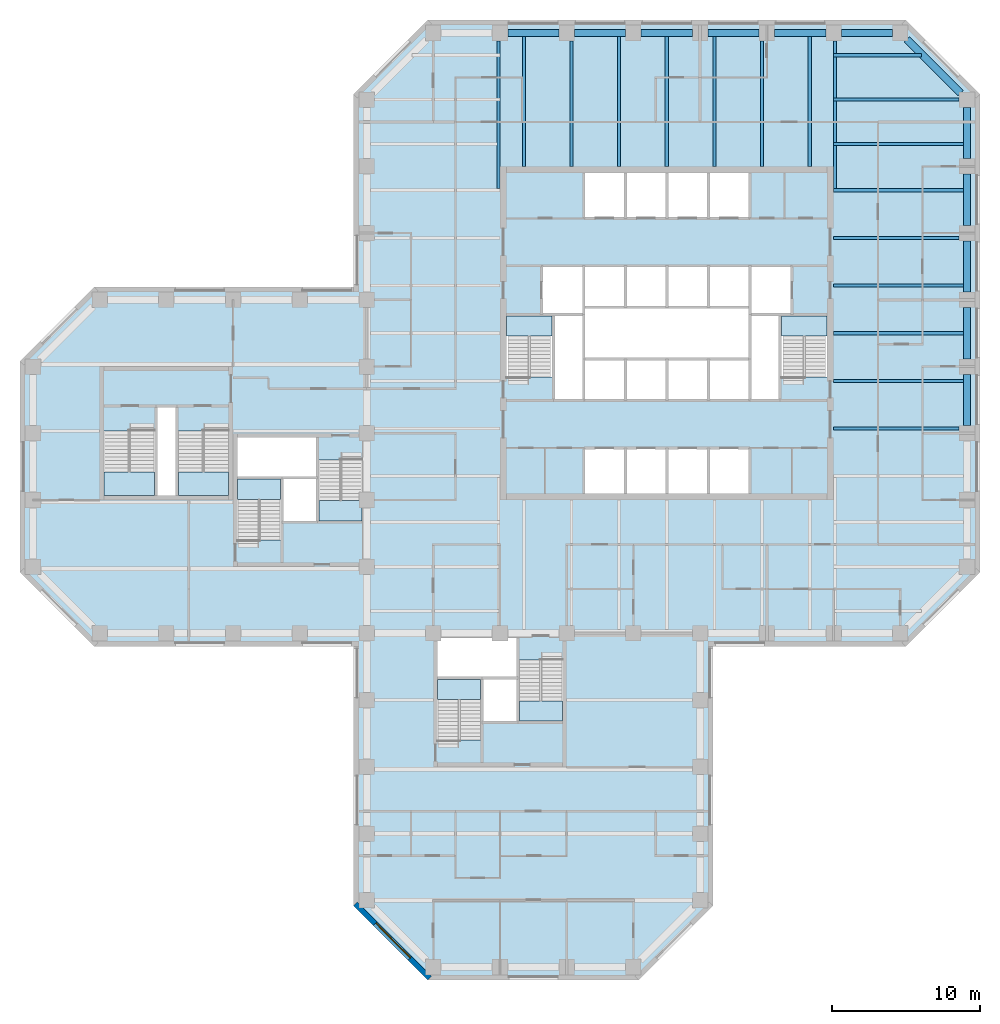
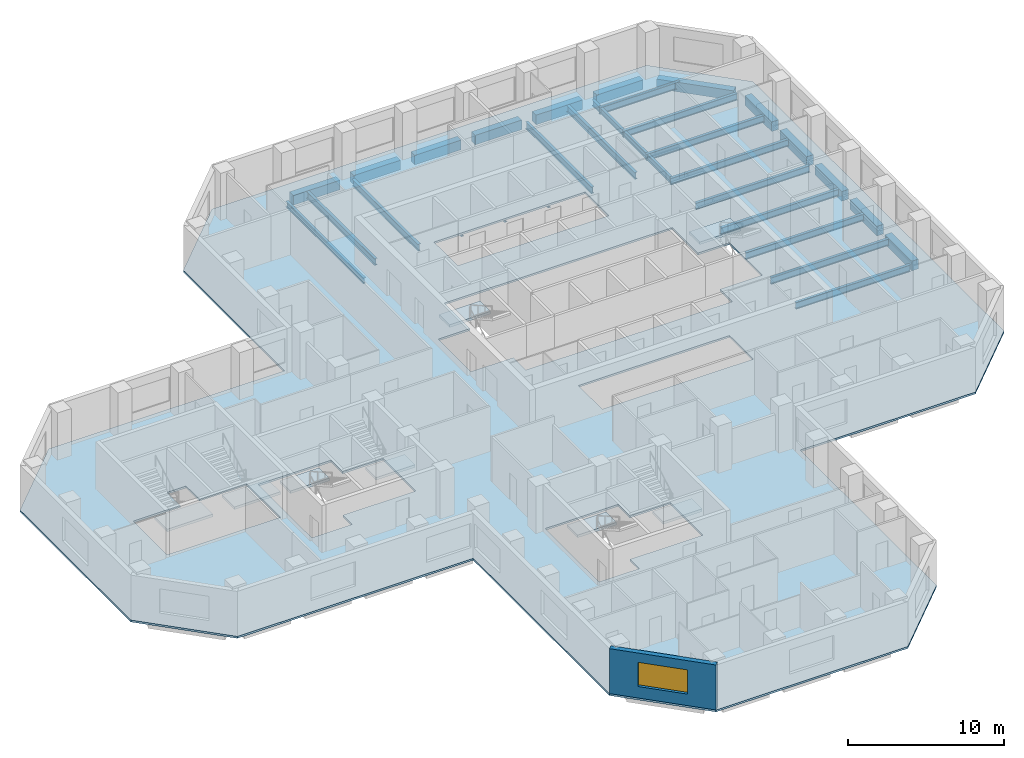
# One storey, part 2 of 11: 30 beams, 9 slabs, 1 wall, 1 window, 1 opening, 8 elements without a shape of their own.
"""IFC4 building model written with IfcOpenShell, lengths in metres."""

from ifc_helpers import new_model, si_unit, direction, frame, frame_2d, origin, origin_2d, place, context, subcontext, project, spatial, polyline, rectangle, i_section, outline, extrude, material, layer, layer_set, constituent, constituent_set, material_profile, profile_set, type_object, element, fill, aggregate, save


model = new_model("IFC4")

# Units and contexts
model_context = context("Model", 3, precision=1e-05, world=origin(), true_north=direction((0.0, 1.0)))
body_context = subcontext(model_context, "Body", "Model", "MODEL_VIEW")
ifc_project = project(units=[si_unit("LENGTHUNIT", "METRE"), si_unit("AREAUNIT", "SQUARE_METRE"), si_unit("VOLUMEUNIT", "CUBIC_METRE"), si_unit("PLANEANGLEUNIT", "RADIAN"), si_unit("MASSUNIT", "GRAM", prefix="KILO")], contexts=[model_context])

# Site, building, storey
site_placement = place(None, origin())
site = spatial("IfcSite", under=ifc_project, at=site_placement, CompositionType="ELEMENT")
building_placement = place(site_placement, origin())
building = spatial("IfcBuilding", under=site, at=building_placement, Name="Quoin Convention Tower", CompositionType="ELEMENT")
storey_placement = place(building_placement, frame((0.0, 0.0, 134.39990234375)))
storey = spatial("IfcBuildingStorey", under=building, at=storey_placement, Name="L35", CompositionType="ELEMENT", Elevation=134.39990234375)

# Beams
ifc_material_1 = material(Name="Steel Grade 300", Category="steel")
ifc_material_profile_1 = material_profile(ifc_material_1, i_section(OverallWidth=0.18994140625, OverallDepth=0.4541015625, WebThickness=0.008544921875, FlangeThickness=0.0126953125, FilletRadius=0.011474609375, at=origin_2d()), Name="460UB67.1")
ifc_profile_set_1 = profile_set([ifc_material_profile_1], Name="Steel Grade 300")
beam_type_1 = type_object("IfcBeamType", Name="460UB67.1", PredefinedType="BEAM", material=ifc_profile_set_1)
for number, where, z_axis, x_axis, name in (
    (1, (44.8955078125, 80.47509765625, -0.376953125), (0.0, -1.0, 0.0), (1.0, 0.0, 0.0), "gir-L35-T1NW"),
    (2, (67.6044921875, 80.47509765625, -0.376953125), (0.0, -1.0, 0.0), (1.0, 0.0, 0.0), "gir-L35-T1NE"),
):
    element("IfcBeam", number, at=place(storey_placement, frame(where, z_axis=z_axis, x_axis=x_axis)), inside=storey, type_object=beam_type_1, Name=name, PredefinedType="BEAM", context=body_context, shape_type="SweptSolid", body=[
        extrude(i_section(OverallWidth=0.18994140625, OverallDepth=0.4541015625, WebThickness=0.008544921875, FlangeThickness=0.0126953125, FilletRadius=0.011474609375, at=origin_2d()), origin(), (0.0, 0.0, 1.0), 9.977783203125),
    ])
ifc_material_profile_2 = material_profile(ifc_material_1, i_section(OverallWidth=0.208984375, OverallDepth=0.528076171875, WebThickness=0.009521484375, FlangeThickness=0.01318359375, FilletRadius=0.013916015625, at=origin_2d()), Name="530UB82.0")
ifc_profile_set_2 = profile_set([ifc_material_profile_2], Name="Steel Grade 300")
beam_type_2 = type_object("IfcBeamType", Name="530UB82.0", PredefinedType="BEAM", material=ifc_profile_set_2)
beam_1_placement = place(storey_placement, frame((67.5, 54.3212890625, -0.413818359375), z_axis=(1.0, 0.0, 0.0), x_axis=(0.0, 1.0, 0.0)))
element("IfcBeam", 3, at=beam_1_placement, inside=storey, type_object=beam_type_2, Name="bm-L35-T1E1", PredefinedType="BEAM", context=body_context, shape_type="SweptSolid", body=[
    extrude(i_section(OverallWidth=0.208984375, OverallDepth=0.528076171875, WebThickness=0.009521484375, FlangeThickness=0.01318359375, FilletRadius=0.013916015625, at=origin_2d()), origin(), (0.0, 0.0, 1.0), 8.47509765625),
])
for number, where, z_axis, x_axis, name in (
    (4, (67.5, 57.53564453125, -0.413818359375), (1.0, 0.0, 0.0), (0.0, 1.0, 0.0), "bm-L35-T1E2"),
    (5, (67.5, 60.75, -0.413818359375), (1.0, 0.0, 0.0), (0.0, 1.0, 0.0), "bm-L35-T1E3"),
    (6, (67.5, 63.96435546875, -0.413818359375), (1.0, 0.0, 0.0), (0.0, 1.0, 0.0), "bm-L35-T1E4"),
):
    element("IfcBeam", number, at=place(storey_placement, frame(where, z_axis=z_axis, x_axis=x_axis)), inside=storey, type_object=beam_type_2, Name=name, PredefinedType="BEAM", context=body_context, shape_type="SweptSolid", body=[
        extrude(i_section(OverallWidth=0.208984375, OverallDepth=0.528076171875, WebThickness=0.009521484375, FlangeThickness=0.01318359375, FilletRadius=0.013916015625, at=origin_2d()), origin(), (0.0, 0.0, 1.0), 8.75),
    ])
beam_2_placement = place(storey_placement, frame((67.5, 67.1787109375, -0.413818359375), z_axis=(1.0, 0.0, 0.0), x_axis=(0.0, 1.0, 0.0)))
element("IfcBeam", 7, at=beam_2_placement, inside=storey, type_object=beam_type_2, Name="bm-L35-T1E5", PredefinedType="BEAM", context=body_context, shape_type="SweptSolid", body=[
    extrude(i_section(OverallWidth=0.208984375, OverallDepth=0.528076171875, WebThickness=0.009521484375, FlangeThickness=0.01318359375, FilletRadius=0.013916015625, at=origin_2d()), origin(), (0.0, 0.0, 1.0), 8.47509765625),
])
for number, where, z_axis, x_axis, name in (
    (8, (67.5, 70.392822265625, -0.413818359375), (1.0, 0.0, 0.0), (0.0, 1.0, 0.0), "bm-L35-T1E6"),
    (9, (46.607177734375, 72.0, -0.413818359375), (0.0, 1.0, 0.0), (-1.0, 0.0, 0.0), "bm-L35-T1N0"),
):
    element("IfcBeam", number, at=place(storey_placement, frame(where, z_axis=z_axis, x_axis=x_axis)), inside=storey, type_object=beam_type_2, Name=name, PredefinedType="BEAM", context=body_context, shape_type="SweptSolid", body=[
        extrude(i_section(OverallWidth=0.208984375, OverallDepth=0.528076171875, WebThickness=0.009521484375, FlangeThickness=0.01318359375, FilletRadius=0.013916015625, at=origin_2d()), origin(), (0.0, 0.0, 1.0), 8.75),
    ])
beam_3_placement = place(storey_placement, frame((49.8212890625, 72.0, -0.413818359375), z_axis=(0.0, 1.0, 0.0), x_axis=(-1.0, 0.0, 0.0)))
element("IfcBeam", 10, at=beam_3_placement, inside=storey, type_object=beam_type_2, Name="bm-L35-T1N1", PredefinedType="BEAM", context=body_context, shape_type="SweptSolid", body=[
    extrude(i_section(OverallWidth=0.208984375, OverallDepth=0.528076171875, WebThickness=0.009521484375, FlangeThickness=0.01318359375, FilletRadius=0.013916015625, at=origin_2d()), origin(), (0.0, 0.0, 1.0), 8.47509765625),
])
for number, where, z_axis, x_axis, name in (
    (11, (53.03564453125, 72.0, -0.413818359375), (0.0, 1.0, 0.0), (-1.0, 0.0, 0.0), "bm-L35-T1N2"),
    (12, (56.25, 72.0, -0.413818359375), (0.0, 1.0, 0.0), (-1.0, 0.0, 0.0), "bm-L35-T1N3"),
    (13, (59.46435546875, 72.0, -0.413818359375), (0.0, 1.0, 0.0), (-1.0, 0.0, 0.0), "bm-L35-T1N4"),
):
    element("IfcBeam", number, at=place(storey_placement, frame(where, z_axis=z_axis, x_axis=x_axis)), inside=storey, type_object=beam_type_2, Name=name, PredefinedType="BEAM", context=body_context, shape_type="SweptSolid", body=[
        extrude(i_section(OverallWidth=0.208984375, OverallDepth=0.528076171875, WebThickness=0.009521484375, FlangeThickness=0.01318359375, FilletRadius=0.013916015625, at=origin_2d()), origin(), (0.0, 0.0, 1.0), 8.75),
    ])
beam_4_placement = place(storey_placement, frame((62.6787109375, 72.0, -0.413818359375), z_axis=(0.0, 1.0, 0.0), x_axis=(-1.0, 0.0, 0.0)))
element("IfcBeam", 14, at=beam_4_placement, inside=storey, type_object=beam_type_2, Name="bm-L35-T1N5", PredefinedType="BEAM", context=body_context, shape_type="SweptSolid", body=[
    extrude(i_section(OverallWidth=0.208984375, OverallDepth=0.528076171875, WebThickness=0.009521484375, FlangeThickness=0.01318359375, FilletRadius=0.013916015625, at=origin_2d()), origin(), (0.0, 0.0, 1.0), 8.47509765625),
])
beam_5_placement = place(storey_placement, frame((65.892822265625, 72.0, -0.413818359375), z_axis=(0.0, 1.0, 0.0), x_axis=(-1.0, 0.0, 0.0)))
element("IfcBeam", 15, at=beam_5_placement, inside=storey, type_object=beam_type_2, Name="bm-L35-T1N6", PredefinedType="BEAM", context=body_context, shape_type="SweptSolid", body=[
    extrude(i_section(OverallWidth=0.208984375, OverallDepth=0.528076171875, WebThickness=0.009521484375, FlangeThickness=0.01318359375, FilletRadius=0.013916015625, at=origin_2d()), origin(), (0.0, 0.0, 1.0), 8.75),
])
beam_6_placement = place(storey_placement, frame((67.5, 79.5, -0.413818359375), z_axis=(1.0, 0.0, 0.0), x_axis=(0.0, 1.0, 0.0)))
element("IfcBeam", 16, at=beam_6_placement, inside=storey, type_object=beam_type_2, Name="bm-L35-T1NE0", PredefinedType="BEAM", context=body_context, shape_type="SweptSolid", body=[
    extrude(i_section(OverallWidth=0.208984375, OverallDepth=0.528076171875, WebThickness=0.009521484375, FlangeThickness=0.01318359375, FilletRadius=0.013916015625, at=origin_2d()), origin(), (0.0, 0.0, 1.0), 5.927734375),
])
beam_7_placement = place(storey_placement, frame((67.5, 76.5, -0.413818359375), z_axis=(1.0, 0.0, 0.0), x_axis=(0.0, 1.0, 0.0)))
element("IfcBeam", 17, at=beam_7_placement, inside=storey, type_object=beam_type_2, Name="bm-L35-T1NE1", PredefinedType="BEAM", context=body_context, shape_type="SweptSolid", body=[
    extrude(i_section(OverallWidth=0.208984375, OverallDepth=0.528076171875, WebThickness=0.009521484375, FlangeThickness=0.01318359375, FilletRadius=0.013916015625, at=origin_2d()), origin(), (0.0, 0.0, 1.0), 8.47509765625),
])
beam_8_placement = place(storey_placement, frame((67.5, 73.5, -0.413818359375), z_axis=(1.0, 0.0, 0.0), x_axis=(0.0, 1.0, 0.0)))
element("IfcBeam", 18, at=beam_8_placement, inside=storey, type_object=beam_type_2, Name="bm-L35-T1NE2", PredefinedType="BEAM", context=body_context, shape_type="SweptSolid", body=[
    extrude(i_section(OverallWidth=0.208984375, OverallDepth=0.528076171875, WebThickness=0.009521484375, FlangeThickness=0.01318359375, FilletRadius=0.013916015625, at=origin_2d()), origin(), (0.0, 0.0, 1.0), 8.75),
])
ifc_material_2 = material(Name="Concrete C65", Category="concrete")
ifc_material_profile_3 = material_profile(ifc_material_2, rectangle(XDim=0.5, YDim=0.75, at=origin_2d()), Name="RC 500x750")
ifc_profile_set_3 = profile_set([ifc_material_profile_3], Name="Concrete C65")
beam_type_3 = type_object("IfcBeamType", Name="RC 500x750 C65", PredefinedType="SPANDREL", material=ifc_profile_set_3)
for number, where, z_axis, x_axis, name in (
    (19, (76.5, 54.52490234375, -0.52490234375), (0.0, 1.0, 0.0), (-1.0, 0.0, 0.0), "spd-L35-76500_54000-76500_58500"),
    (20, (76.5, 59.02490234375, -0.52490234375), (0.0, 1.0, 0.0), (-1.0, 0.0, 0.0), "spd-L35-76500_58500-76500_63000"),
    (21, (76.5, 63.52490234375, -0.52490234375), (0.0, 1.0, 0.0), (-1.0, 0.0, 0.0), "spd-L35-76500_63000-76500_67500"),
    (22, (76.5, 68.02490234375, -0.52490234375), (0.0, 1.0, 0.0), (-1.0, 0.0, 0.0), "spd-L35-76500_67500-76500_72000"),
    (23, (76.5, 72.52490234375, -0.52490234375), (0.0, 1.0, 0.0), (-1.0, 0.0, 0.0), "spd-L35-76500_72000-76500_76500"),
):
    element("IfcBeam", number, at=place(storey_placement, frame(where, z_axis=z_axis, x_axis=x_axis)), inside=storey, type_object=beam_type_3, Name=name, PredefinedType="SPANDREL", context=body_context, shape_type="SweptSolid", body=[
        extrude(rectangle(XDim=0.5, YDim=0.75, at=origin_2d()), origin(), (0.0, 0.0, 1.0), 3.4501953125),
    ])
beam_9_placement = place(storey_placement, frame((76.059814453125, 76.940185546875, -0.52490234375), z_axis=(-0.707106781187, 0.707106781187, 0.0), x_axis=(-0.707106781187, -0.707106781187, 0.0)))
element("IfcBeam", 24, at=beam_9_placement, inside=storey, type_object=beam_type_3, Name="spd-L35-76500_76500-72000_81000", PredefinedType="SPANDREL", context=body_context, shape_type="SweptSolid", body=[
    extrude(rectangle(XDim=0.5, YDim=0.75, at=origin_2d()), origin(), (0.0, 0.0, 1.0), 5.118896484375),
])
for number, where, z_axis, x_axis, name in (
    (25, (71.47509765625, 81.0, -0.52490234375), (-1.0, 0.0, 0.0), (0.0, -1.0, 0.0), "spd-L35-72000_81000-67500_81000"),
    (26, (66.97509765625, 81.0, -0.52490234375), (-1.0, 0.0, 0.0), (0.0, -1.0, 0.0), "spd-L35-67500_81000-63000_81000"),
    (27, (62.47509765625, 81.0, -0.52490234375), (-1.0, 0.0, 0.0), (0.0, -1.0, 0.0), "spd-L35-63000_81000-58500_81000"),
    (28, (57.97509765625, 81.0, -0.52490234375), (-1.0, 0.0, 0.0), (0.0, -1.0, 0.0), "spd-L35-58500_81000-54000_81000"),
    (29, (53.47509765625, 81.0, -0.52490234375), (-1.0, 0.0, 0.0), (0.0, -1.0, 0.0), "spd-L35-54000_81000-49500_81000"),
    (30, (48.97509765625, 81.0, -0.52490234375), (-1.0, 0.0, 0.0), (0.0, -1.0, 0.0), "spd-L35-49500_81000-45000_81000"),
):
    element("IfcBeam", number, at=place(storey_placement, frame(where, z_axis=z_axis, x_axis=x_axis)), inside=storey, type_object=beam_type_3, Name=name, PredefinedType="SPANDREL", context=body_context, shape_type="SweptSolid", body=[
        extrude(rectangle(XDim=0.5, YDim=0.75, at=origin_2d()), origin(), (0.0, 0.0, 1.0), 3.4501953125),
    ])

# Slab
ifc_material_3 = material(Name="Concrete C40", Category="concrete")
ifc_layer_1 = layer(ifc_material_3, 0.14990234375)
ifc_layer_set_1 = layer_set([ifc_layer_1], Name="Concrete C40")
slab_type_1 = type_object("IfcSlabType", Name="COMPOSITE SLAB 150 C40", PredefinedType="FLOOR", material=ifc_layer_set_1)
slab_1_placement = place(storey_placement, frame((0.0, 0.0, -0.14990234375)))
element("IfcSlab", 31, at=slab_1_placement, inside=storey, type_object=slab_type_1, Name="slb-L35", PredefinedType="FLOOR", context=body_context, shape_type="SweptSolid", body=[
    extrude(outline(polyline([(59.375, 22.1376953125), (54.3623046875, 17.125), (40.1376953125, 17.125), (35.125, 22.1376953125), (35.125, 39.625), (17.6376953125, 39.625), (12.625, 44.6376953125), (12.625, 58.8623046875), (17.6376953125, 63.875), (35.125, 63.875), (35.125, 76.8623046875), (40.1376953125, 81.875), (72.3623046875, 81.875), (77.375, 76.8623046875), (77.375, 44.6376953125), (72.3623046875, 39.625), (59.375, 39.625), (59.375, 22.1376953125)]), holes=[polyline([(40.800048828125, 40.199951171875), (40.800048828125, 37.5), (40.800048828125, 33.300537109375), (43.800048828125, 33.300537109375), (43.800048828125, 34.5), (46.199951171875, 34.5), (49.199951171875, 34.5), (49.199951171875, 38.699462890625), (46.199951171875, 38.699462890625), (46.199951171875, 40.199951171875), (40.800048828125, 40.199951171875)]), polyline([(35.699951171875, 52.199462890625), (32.699951171875, 52.199462890625), (32.699951171875, 53.699951171875), (27.300048828125, 53.699951171875), (27.300048828125, 51.0), (27.300048828125, 46.800537109375), (30.300048828125, 46.800537109375), (30.300048828125, 48.0), (32.699951171875, 48.0), (35.699951171875, 48.0), (35.699951171875, 52.199462890625)]), polyline([(53.449951171875, 49.949951171875), (56.25, 49.949951171875), (59.050048828125, 49.949951171875), (61.85009765625, 49.949951171875), (61.85009765625, 53.0), (59.050048828125, 53.0), (56.25, 53.0), (53.449951171875, 53.0), (50.64990234375, 53.0), (50.64990234375, 49.949951171875), (53.449951171875, 49.949951171875)]), polyline([(21.800048828125, 55.85009765625), (21.800048828125, 54.1494140625), (18.300048828125, 54.1494140625), (18.300048828125, 49.800048828125), (21.800048828125, 49.800048828125), (23.199951171875, 49.800048828125), (26.699951171875, 49.800048828125), (26.699951171875, 54.1494140625), (23.199951171875, 54.1494140625), (23.199951171875, 55.85009765625), (21.800048828125, 55.85009765625)]), polyline([(48.60009765625, 57.800537109375), (48.60009765625, 56.199951171875), (50.64990234375, 56.199951171875), (53.449951171875, 56.199951171875), (56.25, 56.199951171875), (59.050048828125, 56.199951171875), (61.85009765625, 56.199951171875), (63.89990234375, 56.199951171875), (63.89990234375, 57.800537109375), (67.050048828125, 57.800537109375), (67.050048828125, 62.0), (64.699951171875, 62.0), (64.699951171875, 65.300048828125), (61.85009765625, 65.300048828125), (59.050048828125, 65.300048828125), (56.25, 65.300048828125), (53.449951171875, 65.300048828125), (50.64990234375, 65.300048828125), (47.800048828125, 65.300048828125), (47.800048828125, 62.0), (45.449951171875, 62.0), (45.449951171875, 57.800537109375), (48.60009765625, 57.800537109375)]), polyline([(50.64990234375, 68.5), (53.449951171875, 68.5), (56.25, 68.5), (59.050048828125, 68.5), (61.85009765625, 68.5), (61.85009765625, 71.550048828125), (59.050048828125, 71.550048828125), (56.25, 71.550048828125), (53.449951171875, 71.550048828125), (50.64990234375, 71.550048828125), (50.64990234375, 68.5)])]), origin(), (0.0, 0.0, 1.0), 0.14990234375),
])

# Stair, slab
stair_type_1 = type_object("IfcStairType", Name="Exit stair two-flight 1350", PredefinedType="HALF_TURN_STAIR", material=ifc_material_3)
stair_1_placement = place(storey_placement, origin())
stair_1 = element("IfcStair", 32, at=stair_1_placement, inside=storey, type_object=stair_type_1, Name="SD1 L35", PredefinedType="HALF_TURN_STAIR")
ifc_layer_2 = layer(ifc_material_3, 0.199951171875)
ifc_layer_set_2 = layer_set([ifc_layer_2], Name="Concrete C40")
slab_type_2 = type_object("IfcSlabType", Name="Stair landing 200", PredefinedType="LANDING", material=ifc_layer_set_2)
slab_2_placement = place(storey_placement, frame((0.0, 0.0, 1.79248046875)))
slab_2 = element("IfcSlab", 33, at=slab_2_placement, type_object=slab_type_2, Name="ST1 landing 1", PredefinedType="LANDING", context=body_context, shape_type="SweptSolid", body=[
    extrude(outline(polyline([(45.449951171875, 60.550048828125), (48.5, 60.550048828125), (48.5, 61.89990234375), (45.449951171875, 61.89990234375), (45.449951171875, 60.550048828125)])), origin(), (0.0, 0.0, 1.0), 0.199951171875),
])
aggregate(stair_1, [slab_2])

stair_2_placement = place(storey_placement, origin())
stair_2 = element("IfcStair", 34, at=stair_2_placement, inside=storey, type_object=stair_type_1, Name="SD2 L35", PredefinedType="HALF_TURN_STAIR")
slab_3_placement = place(storey_placement, frame((0.0, 0.0, 1.79248046875)))
slab_3 = element("IfcSlab", 35, at=slab_3_placement, type_object=slab_type_2, Name="ST2 landing 1", PredefinedType="LANDING", context=body_context, shape_type="SweptSolid", body=[
    extrude(outline(polyline([(64.0, 60.550048828125), (67.050048828125, 60.550048828125), (67.050048828125, 61.89990234375), (64.0, 61.89990234375), (64.0, 60.550048828125)])), origin(), (0.0, 0.0, 1.0), 0.199951171875),
])
aggregate(stair_2, [slab_3])

stair_3_placement = place(storey_placement, origin())
stair_3 = element("IfcStair", 36, at=stair_3_placement, inside=storey, type_object=stair_type_1, Name="SD3 L35", PredefinedType="HALF_TURN_STAIR")
slab_4_placement = place(storey_placement, frame((0.0, 0.0, 1.79248046875)))
slab_4 = element("IfcSlab", 37, at=slab_4_placement, type_object=slab_type_2, Name="ST3 landing 1", PredefinedType="LANDING", context=body_context, shape_type="SweptSolid", body=[
    extrude(outline(polyline([(27.300048828125, 49.550048828125), (30.199951171875, 49.550048828125), (30.199951171875, 50.89990234375), (27.300048828125, 50.89990234375), (27.300048828125, 49.550048828125)])), origin(), (0.0, 0.0, 1.0), 0.199951171875),
])
aggregate(stair_3, [slab_4])

stair_4_placement = place(storey_placement, origin())
stair_4 = element("IfcStair", 38, at=stair_4_placement, inside=storey, type_object=stair_type_1, Name="SD4 L35", PredefinedType="HALF_TURN_STAIR")
slab_5_placement = place(storey_placement, frame((0.0, 0.0, 1.79248046875)))
slab_5 = element("IfcSlab", 39, at=slab_5_placement, type_object=slab_type_2, Name="ST4 landing 1", PredefinedType="LANDING", context=body_context, shape_type="SweptSolid", body=[
    extrude(outline(polyline([(35.699951171875, 49.449951171875), (32.800048828125, 49.449951171875), (32.800048828125, 48.10009765625), (35.699951171875, 48.10009765625), (35.699951171875, 49.449951171875)])), origin(), (0.0, 0.0, 1.0), 0.199951171875),
])
aggregate(stair_4, [slab_5])

stair_5_placement = place(storey_placement, origin())
stair_5 = element("IfcStair", 40, at=stair_5_placement, inside=storey, type_object=stair_type_1, Name="SD5 L35", PredefinedType="HALF_TURN_STAIR")
slab_6_placement = place(storey_placement, frame((0.0, 0.0, 1.79248046875)))
slab_6 = element("IfcSlab", 41, at=slab_6_placement, type_object=slab_type_2, Name="ST5 landing 1", PredefinedType="LANDING", context=body_context, shape_type="SweptSolid", body=[
    extrude(outline(polyline([(40.800048828125, 36.050048828125), (43.699951171875, 36.050048828125), (43.699951171875, 37.39990234375), (40.800048828125, 37.39990234375), (40.800048828125, 36.050048828125)])), origin(), (0.0, 0.0, 1.0), 0.199951171875),
])
aggregate(stair_5, [slab_6])

stair_6_placement = place(storey_placement, origin())
stair_6 = element("IfcStair", 42, at=stair_6_placement, inside=storey, type_object=stair_type_1, Name="SD6 L35", PredefinedType="HALF_TURN_STAIR")
slab_7_placement = place(storey_placement, frame((0.0, 0.0, 1.79248046875)))
slab_7 = element("IfcSlab", 43, at=slab_7_placement, type_object=slab_type_2, Name="ST6 landing 1", PredefinedType="LANDING", context=body_context, shape_type="SweptSolid", body=[
    extrude(outline(polyline([(49.199951171875, 35.949951171875), (46.300048828125, 35.949951171875), (46.300048828125, 34.60009765625), (49.199951171875, 34.60009765625), (49.199951171875, 35.949951171875)])), origin(), (0.0, 0.0, 1.0), 0.199951171875),
])
aggregate(stair_6, [slab_7])

stair_type_2 = type_object("IfcStairType", Name="Exit stair two-flight 1600", PredefinedType="HALF_TURN_STAIR", material=ifc_material_3)
stair_7_placement = place(storey_placement, origin())
stair_7 = element("IfcStair", 44, at=stair_7_placement, inside=storey, type_object=stair_type_2, Name="SD11 L35", PredefinedType="HALF_TURN_STAIR")
slab_8_placement = place(storey_placement, frame((0.0, 0.0, 1.79248046875)))
slab_8 = element("IfcSlab", 45, at=slab_8_placement, type_object=slab_type_2, Name="ST11 landing 1", PredefinedType="LANDING", context=body_context, shape_type="SweptSolid", body=[
    extrude(outline(polyline([(21.699951171875, 51.39990234375), (18.300048828125, 51.39990234375), (18.300048828125, 49.800048828125), (21.699951171875, 49.800048828125), (21.699951171875, 51.39990234375)])), origin(), (0.0, 0.0, 1.0), 0.199951171875),
])
aggregate(stair_7, [slab_8])

stair_8_placement = place(storey_placement, origin())
stair_8 = element("IfcStair", 46, at=stair_8_placement, inside=storey, type_object=stair_type_2, Name="SD12 L35", PredefinedType="HALF_TURN_STAIR")
slab_9_placement = place(storey_placement, frame((0.0, 0.0, 1.79248046875)))
slab_9 = element("IfcSlab", 47, at=slab_9_placement, type_object=slab_type_2, Name="ST12 landing 1", PredefinedType="LANDING", context=body_context, shape_type="SweptSolid", body=[
    extrude(outline(polyline([(26.699951171875, 51.39990234375), (23.300048828125, 51.39990234375), (23.300048828125, 49.800048828125), (26.699951171875, 49.800048828125), (26.699951171875, 51.39990234375)])), origin(), (0.0, 0.0, 1.0), 0.199951171875),
])
aggregate(stair_8, [slab_9])

# Wall, opening, window
ifc_material_4 = material(Name="Brick masonry", Category="masonry")
ifc_layer_3 = layer(ifc_material_4, 0.35009765625)
ifc_layer_set_3 = layer_set([ifc_layer_3], Name="Brick masonry")
wall_type = type_object("IfcWallType", Name="Brick facade wall", PredefinedType="STANDARD", material=ifc_layer_set_3)
wall_placement = place(storey_placement, frame((35.248779296875, 22.26123046875, 0.0), z_axis=(0.0, 0.0, 1.0), x_axis=(0.707106781187, -0.707106781187, 0.0)))
wall = element("IfcWall", 48, at=wall_placement, inside=storey, type_object=wall_type, Name="fw-L35-36000_22500", PredefinedType="STANDARD", context=body_context, shape_type="SweptSolid", body=[
    extrude(rectangle(XDim=7.088623046875, YDim=0.35009765625, at=frame_2d((3.54443359375, 0.0))), origin(), (0.0, 0.0, 1.0), 3.525146484375),
])
opening_placement = place(wall_placement, frame((1.894287109375, 0.0, 0.89990234375)))
opening = element("IfcOpeningElement", 49, at=opening_placement, cuts=wall, Name="Opening W-02", PredefinedType="OPENING", context=body_context, shape_type="SweptSolid", body=[
    extrude(rectangle(XDim=3.300048828125, YDim=1.89990234375, at=frame_2d((1.64990234375, 0.949951171875))), frame((0.0, 0.18505859375, 0.0), z_axis=(0.0, -1.0, 0.0), x_axis=(1.0, 0.0, 0.0)), (0.0, 0.0, 1.0), 0.3701171875),
])
ifc_material_5 = material(Name="Aluminium", Category="aluminium")
ifc_constituent_1 = constituent(ifc_material_5, Name="Frame")
ifc_material_6 = material(Name="Insulated glass", Category="glass")
ifc_constituent_2 = constituent(ifc_material_6, Name="Glazing")
ifc_constituent_set = constituent_set(constituents=[ifc_constituent_1, ifc_constituent_2], Name="Aluminium")
window_type = type_object("IfcWindowType", Name="Office window", PartitioningType="DOUBLE_PANEL_VERTICAL", PredefinedType="WINDOW", material=ifc_constituent_set)
window_placement = place(opening_placement, origin())
window = element("IfcWindow", 50, at=window_placement, inside=storey, type_object=window_type, Name="win-L35-37755_19755", OverallHeight=1.89990234375, OverallWidth=3.300048828125, PartitioningType="SINGLE_PANEL", PredefinedType="WINDOW", context=body_context, shape_type="SweptSolid", body=[
    extrude(rectangle(XDim=3.300048828125, YDim=1.89990234375, at=frame_2d((1.64990234375, 0.949951171875))), frame((0.0, 0.0849609375, 0.0), z_axis=(0.0, -1.0, 0.0), x_axis=(1.0, 0.0, 0.0)), (0.0, 0.0, 1.0), 0.06005859375),
])
fill(opening, window)

save(model, "model.ifc")
